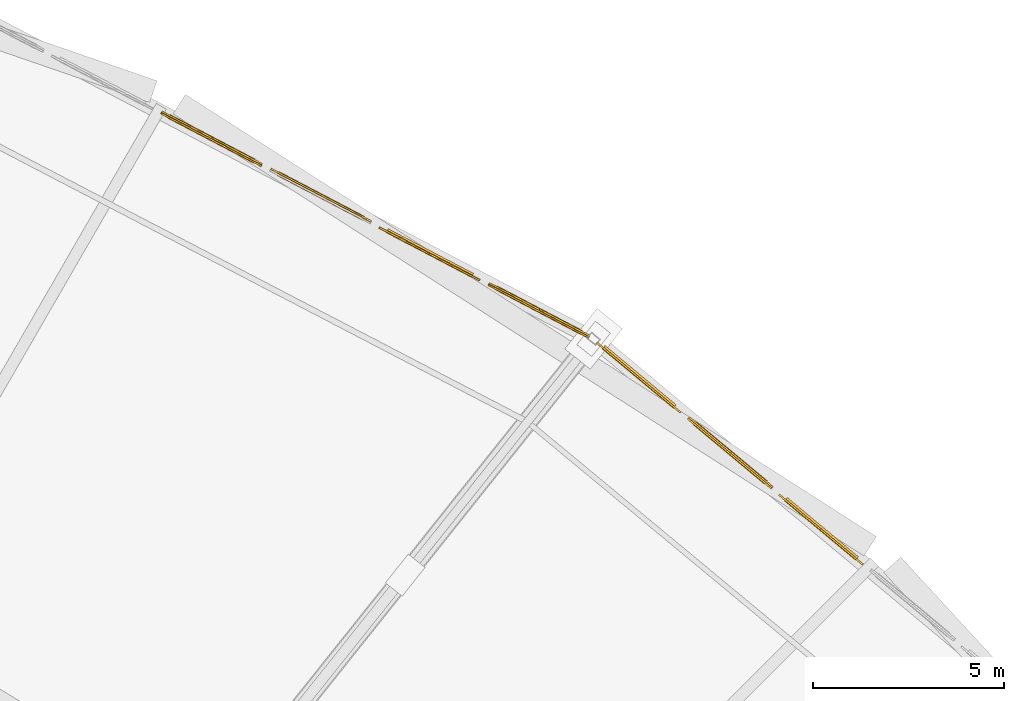
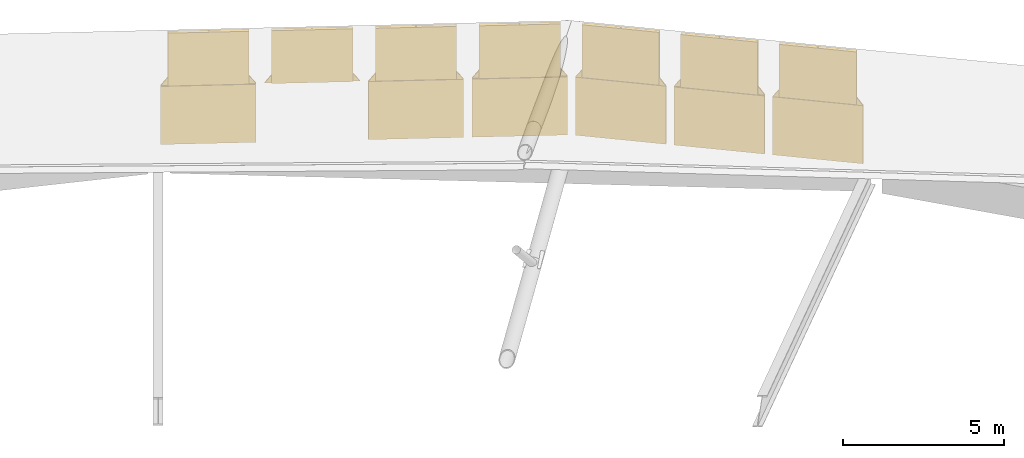
# One storey, part 108 of 108: 13 coverings, 7 shading devices.
"""IFC4 building model written with IfcOpenShell, lengths in metres."""

from ifc_helpers import new_model, si_unit, direction, frame, origin, origin_2d, place, context, subcontext, project, spatial, polyline, rectangle, outline, extrude, material, layer, layer_set, type_object, element, save


model = new_model("IFC4")

# Units and contexts
model_context = context("Model", 3, precision=1e-05, world=origin(), true_north=direction((0.0, 1.0)))
body_context = subcontext(model_context, "Body", "Model", "MODEL_VIEW")
ifc_project = project(units=[si_unit("LENGTHUNIT", "METRE"), si_unit("AREAUNIT", "SQUARE_METRE"), si_unit("VOLUMEUNIT", "CUBIC_METRE"), si_unit("PLANEANGLEUNIT", "RADIAN"), si_unit("MASSUNIT", "GRAM", prefix="KILO")], contexts=[model_context])

# Site, building, storey
site_placement = place(None, origin())
site = spatial("IfcSite", under=ifc_project, at=site_placement, CompositionType="ELEMENT")
building_placement = place(site_placement, origin())
building = spatial("IfcBuilding", under=site, at=building_placement, Name="Zevraka Park Crest Stadium", CompositionType="ELEMENT")
storey_placement = place(building_placement, frame((0.0, 0.0, 29.39990234375)))
storey = spatial("IfcBuildingStorey", under=building, at=storey_placement, Name="RF", CompositionType="ELEMENT", Elevation=29.39990234375)

# Coverings
ifc_material_1 = material(Name="Architectural golden-bronze perforated aluminium", Category="aluminium")
ifc_layer_1 = layer(ifc_material_1, 0.034912109375)
ifc_layer_set_1 = layer_set([ifc_layer_1], Name="Architectural golden-bronze perforated aluminium")
covering_type = type_object("IfcCoveringType", Name="CLD01", PredefinedType="CLADDING", material=ifc_layer_set_1)
covering_1_placement = place(storey_placement, frame((175.35498046875, 144.989990234375, 0.0), z_axis=(0.640335790713, 0.76809509511, 0.0), x_axis=(-0.76809509511, 0.640335790713, 0.0)))
element("IfcCovering", 1, at=covering_1_placement, inside=storey, type_object=covering_type, Name="Canopy Crown Perforated Bronze Fascia 04-4A", PredefinedType="CLADDING", context=body_context, shape_type="SweptSolid", body=[
    extrude(outline(polyline([(0.0, 0.0), (2.8549473987149607, 0.0), (2.8549473987149607, 2.2001953125), (0.0, 2.2001953125), (0.0, 0.0)])), origin(), (0.0, 0.0, -1.0), 0.044921875),
])
covering_2_placement = place(storey_placement, frame((175.35498046875, 144.989990234375, 2.2001953125), z_axis=(0.64033578319, 0.768095086087, 0.000153282055), x_axis=(-0.76809509511, 0.640335790713, 0.0)))
element("IfcCovering", 2, at=covering_2_placement, inside=storey, type_object=covering_type, Name="Canopy Crown Triangular Bronze Screen 04-4B", PredefinedType="CLADDING", context=body_context, shape_type="SweptSolid", body=[
    extrude(outline(polyline([(0.0, 0.0), (2.8549473987149607, -2.710505431213761e-20), (1.4278487457906397, 2.0397949458378877), (0.0, 0.0)])), origin(), (0.0, 0.0, -1.0), 0.044921875),
])
covering_3_placement = place(storey_placement, frame((172.971923828125, 146.97705078125, 0.0), z_axis=(0.64028533532, 0.768137155315, 0.0), x_axis=(-0.768137155315, 0.64028533532, 0.0)))
element("IfcCovering", 3, at=covering_3_placement, inside=storey, type_object=covering_type, Name="Canopy Crown Perforated Bronze Fascia 04-5A", PredefinedType="CLADDING", context=body_context, shape_type="SweptSolid", body=[
    extrude(outline(polyline([(0.0, 0.0), (2.8547910728937436, 0.0), (2.8547910728937436, 2.2001953125), (0.0, 2.2001953125), (0.0, 0.0)])), origin(), (0.0, 0.0, -1.0), 0.044921875),
])
covering_4_placement = place(storey_placement, frame((172.971923828125, 146.97705078125, 2.2001953125), z_axis=(-0.640285322611, -0.768137140069, 0.000199238685), x_axis=(-0.768137155315, 0.64028533532, 0.0)))
element("IfcCovering", 4, at=covering_4_placement, inside=storey, type_object=covering_type, Name="Canopy Crown Triangular Bronze Screen 04-5B", PredefinedType="CLADDING", context=body_context, shape_type="SweptSolid", body=[
    extrude(outline(polyline([(0.0, 0.0), (2.8547910728937436, -5.421010862427522e-20), (1.427098629307475, -2.0397949623609057), (0.0, 0.0)])), origin(), (0.0, 0.0, -1.0), 0.044921875),
])
covering_5_placement = place(storey_placement, frame((170.589111328125, 148.964111328125, 0.0), z_axis=(0.640445053294, 0.768003993291, 0.0), x_axis=(-0.768003993291, 0.640445053294, 0.0)))
element("IfcCovering", 5, at=covering_5_placement, inside=storey, type_object=covering_type, Name="Canopy Crown Perforated Bronze Fascia 04-6A", PredefinedType="CLADDING", context=body_context, shape_type="SweptSolid", body=[
    extrude(outline(polyline([(0.0, 0.0), (2.855603946767651, 0.0), (2.855603946767651, 2.2001953125), (0.0, 2.2001953125), (0.0, 0.0)])), origin(), (0.0, 0.0, -1.0), 0.044921875),
])
covering_6_placement = place(storey_placement, frame((170.589111328125, 148.964111328125, 2.2001953125), z_axis=(0.640444996419, 0.768003925088, 0.000421438935), x_axis=(-0.768003993291, 0.640445053294, 0.0)))
element("IfcCovering", 6, at=covering_6_placement, inside=storey, type_object=covering_type, Name="Canopy Crown Triangular Bronze Screen 04-6B", PredefinedType="CLADDING", context=body_context, shape_type="SweptSolid", body=[
    extrude(outline(polyline([(0.0, 0.0), (2.855603946767651, 0.0), (1.4278798291821633, 2.0397951030198036), (0.0, 0.0)])), origin(), (0.0, 0.0, -1.0), 0.044921875),
])
covering_7_placement = place(storey_placement, frame((168.18701171875, 150.931884765625, 0.0), z_axis=(0.464006994671, 0.88583153528, 0.0), x_axis=(-0.88583153528, 0.464006994671, 0.0)))
element("IfcCovering", 7, at=covering_7_placement, inside=storey, type_object=covering_type, Name="Canopy Crown Perforated Bronze Fascia 05-1A", PredefinedType="CLADDING", context=body_context, shape_type="SweptSolid", body=[
    extrude(outline(polyline([(0.0, 0.0), (2.9633173977824248, 0.0), (2.9633173977824248, 2.2001953125), (0.0, 2.2001953125), (0.0, 0.0)])), origin(), (0.0, 0.0, -1.0), 0.044921875),
])
covering_8_placement = place(storey_placement, frame((168.18701171875, 150.931884765625, 2.2001953125), z_axis=(-0.464006984729, -0.885831516302, 0.000206999471), x_axis=(-0.88583153528, 0.464006994671, 0.0)))
element("IfcCovering", 8, at=covering_8_placement, inside=storey, type_object=covering_type, Name="Canopy Crown Triangular Bronze Screen 05-1B", PredefinedType="CLADDING", context=body_context, shape_type="SweptSolid", body=[
    extrude(outline(polyline([(0.0, 0.0), (2.963317397782425, 0.0), (1.4824310826935982, -2.0397949655763647), (0.0, 0.0)])), origin(), (0.0, 0.0, -1.0), 0.044921875),
])
covering_9_placement = place(storey_placement, frame((165.3330078125, 152.427001953125, 0.0), z_axis=(0.464265532752, 0.885696062483, 0.0), x_axis=(-0.885696062483, 0.464265532752, 0.0)))
element("IfcCovering", 9, at=covering_9_placement, inside=storey, type_object=covering_type, Name="Canopy Crown Perforated Bronze Fascia 05-2A", PredefinedType="CLADDING", context=body_context, shape_type="SweptSolid", body=[
    extrude(outline(polyline([(0.0, 0.0), (2.9637706558621093, 0.0), (2.9637706558621093, 2.2001953125), (0.0, 2.2001953125), (0.0, 0.0)])), origin(), (0.0, 0.0, -1.0), 0.044921875),
])
covering_10_placement = place(storey_placement, frame((165.3330078125, 152.427001953125, 2.2001953125), z_axis=(0.464265529885, 0.885696057014, 0.000111134777), x_axis=(-0.885696062483, 0.464265532752, 0.0)))
element("IfcCovering", 10, at=covering_10_placement, inside=storey, type_object=covering_type, Name="Canopy Crown Triangular Bronze Screen 05-2B", PredefinedType="CLADDING", context=body_context, shape_type="SweptSolid", body=[
    extrude(outline(polyline([(0.0, 0.0), (2.9637706558621093, 0.0), (1.482317796711564, 2.0397949344716912), (0.0, 0.0)])), origin(), (0.0, 0.0, -1.0), 0.044921875),
])
covering_11_placement = place(storey_placement, frame((162.47998046875, 153.922119140625, 2.2001953125), z_axis=(-0.464265529885, -0.885696057014, 0.000111134777), x_axis=(-0.885696062483, 0.464265532752, 0.0)))
element("IfcCovering", 11, at=covering_11_placement, inside=storey, type_object=covering_type, Name="Canopy Crown Triangular Bronze Screen 05-3B", PredefinedType="CLADDING", context=body_context, shape_type="SweptSolid", body=[
    extrude(outline(polyline([(0.0, 0.0), (2.9637706558621093, 0.0), (1.4814528591505454, -2.0397949344716912), (0.0, 0.0)])), origin(), (0.0, 0.0, -1.0), 0.044921875),
])
covering_12_placement = place(storey_placement, frame((159.6259765625, 155.4169921875, 0.0), z_axis=(0.464265532752, 0.885696062483, 0.0), x_axis=(-0.885696062483, 0.464265532752, 0.0)))
element("IfcCovering", 12, at=covering_12_placement, inside=storey, type_object=covering_type, Name="Canopy Crown Perforated Bronze Fascia 05-4A", PredefinedType="CLADDING", context=body_context, shape_type="SweptSolid", body=[
    extrude(outline(polyline([(0.0, 0.0), (2.9637706558621093, 0.0), (2.9637706558621093, 2.2001953125), (0.0, 2.2001953125), (0.0, 0.0)])), origin(), (0.0, 0.0, -1.0), 0.044921875),
])
covering_13_placement = place(storey_placement, frame((159.6259765625, 155.4169921875, 2.2001953125), z_axis=(-0.464265529885, -0.885696057014, 0.000111134777), x_axis=(-0.885696062483, 0.464265532752, 0.0)))
element("IfcCovering", 13, at=covering_13_placement, inside=storey, type_object=covering_type, Name="Canopy Crown Triangular Bronze Screen 05-4B", PredefinedType="CLADDING", context=body_context, shape_type="SweptSolid", body=[
    extrude(outline(polyline([(0.0, 0.0), (2.9637706558621093, 0.0), (1.4814528591505454, -2.0397949344716912), (0.0, 0.0)])), origin(), (0.0, 0.0, -1.0), 0.044921875),
])

# Shading devices
ifc_material_2 = material(Name="Terracotta and bronze acoustic ventilation louvre", Category="masonry")
ifc_layer_2 = layer(ifc_material_2, 0.080078125)
ifc_layer_set_2 = layer_set([ifc_layer_2], Name="Terracotta and bronze acoustic ventilation louvre")
shading_device_type = type_object("IfcShadingDeviceType", Name="LVR01", PredefinedType="USERDEFINED", material=ifc_layer_set_2)
for number, where, z_axis, x_axis, name in (
    (14, (174.258056640625, 145.904052734375, 2.22021484375), (0.0, 0.0, 1.0), (-0.768060036355, 0.640377842023, 0.0), "Canopy Crown Acoustic Wind Louvre 04-4"),
    (15, (171.8759765625, 147.89111328125, 2.22021484375), (0.0, 0.0, 1.0), (-0.768060036355, 0.640377842023, 0.0), "Canopy Crown Acoustic Wind Louvre 04-5"),
    (16, (169.491943359375, 149.8779296875, 2.22021484375), (0.0, 0.0, 1.0), (-0.768060036355, 0.640377842023, 0.0), "Canopy Crown Acoustic Wind Louvre 04-6"),
):
    element("IfcShadingDevice", number, at=place(storey_placement, frame(where, z_axis=z_axis, x_axis=x_axis)), inside=storey, type_object=shading_device_type, Name=name, ObjectType="LOUVRE", PredefinedType="USERDEFINED", context=body_context, shape_type="SweptSolid", body=[
        extrude(rectangle(XDim=2.426025390625, YDim=0.1201171875, at=origin_2d()), origin(), (0.0, 0.0, 1.0), 2.0),
    ])
for number, where, z_axis, x_axis, name in (
    (17, (166.8740234375, 151.6201171875, 2.22021484375), (0.0, 0.0, 1.0), (-0.88579893978, 0.464069217127, 0.0), "Canopy Crown Acoustic Wind Louvre 05-1"),
    (18, (164.02001953125, 153.114990234375, 2.22021484375), (0.0, 0.0, 1.0), (-0.88579893978, 0.464069217127, 0.0), "Canopy Crown Acoustic Wind Louvre 05-2"),
    (19, (161.16796875, 154.610107421875, 2.22021484375), (0.0, 0.0, 1.0), (-0.88579893978, 0.464069217127, 0.0), "Canopy Crown Acoustic Wind Louvre 05-3"),
    (20, (158.31396484375, 156.10498046875, 2.22021484375), (0.0, 0.0, 1.0), (-0.88579893978, 0.464069217127, 0.0), "Canopy Crown Acoustic Wind Louvre 05-4"),
):
    element("IfcShadingDevice", number, at=place(storey_placement, frame(where, z_axis=z_axis, x_axis=x_axis)), inside=storey, type_object=shading_device_type, Name=name, ObjectType="LOUVRE", PredefinedType="USERDEFINED", context=body_context, shape_type="SweptSolid", body=[
        extrude(rectangle(XDim=2.51904296875, YDim=0.1201171875, at=origin_2d()), origin(), (0.0, 0.0, 1.0), 2.0),
    ])

save(model, "model.ifc")
